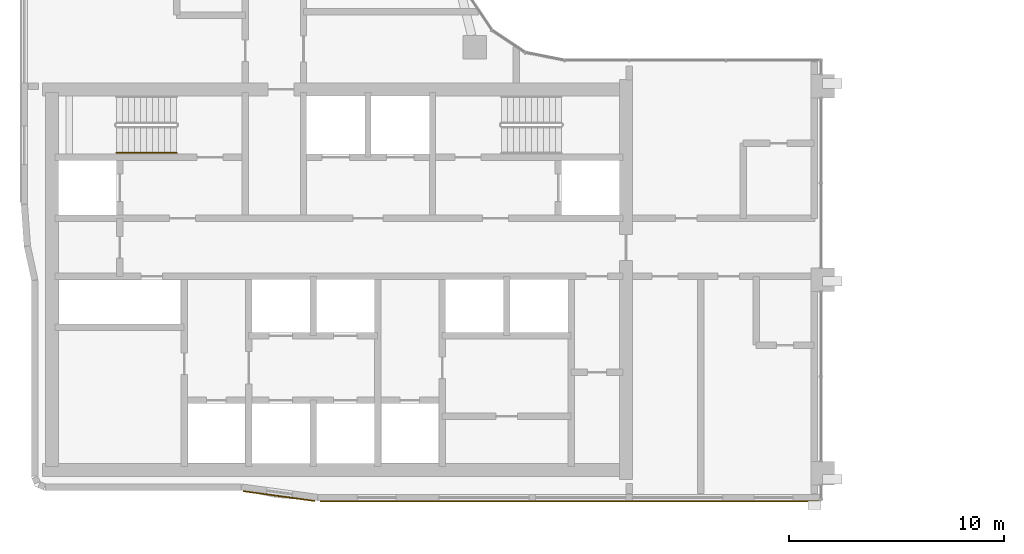
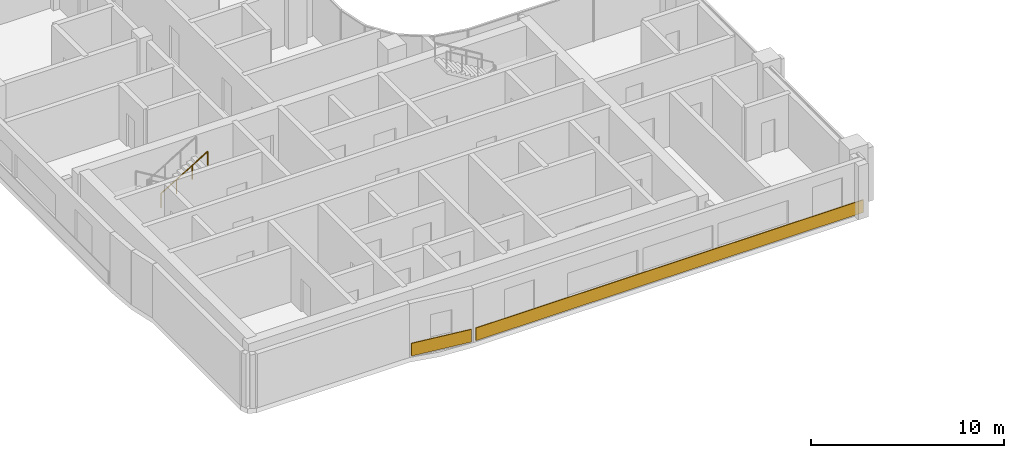
# One storey, part 17 of 23: 2 coverings, 1 railing.
"""IFC4 building model written with IfcOpenShell, lengths in metres."""

from ifc_helpers import new_model, si_unit, direction, frame, origin, origin_2d, place, context, subcontext, project, spatial, rectangle, circle, extrude, material, layer, layer_set, type_object, element, save


model = new_model("IFC4")

# Units and contexts
model_context = context("Model", 3, precision=1e-05, world=origin(), true_north=direction((0.0, 1.0)))
body_context = subcontext(model_context, "Body", "Model", "MODEL_VIEW")
ifc_project = project(units=[si_unit("LENGTHUNIT", "METRE"), si_unit("AREAUNIT", "SQUARE_METRE"), si_unit("VOLUMEUNIT", "CUBIC_METRE"), si_unit("PLANEANGLEUNIT", "RADIAN"), si_unit("MASSUNIT", "GRAM", prefix="KILO")], contexts=[model_context])

# Site, building, storey
site_placement = place(None, origin())
site = spatial("IfcSite", under=ifc_project, at=site_placement, CompositionType="ELEMENT")
building_placement = place(site_placement, origin())
building = spatial("IfcBuilding", under=site, at=building_placement, Name="Ogive Portal Towers", CompositionType="ELEMENT")
storey_placement = place(building_placement, frame((0.0, 0.0, 168.10009765625)))
storey = spatial("IfcBuildingStorey", under=building, at=storey_placement, Name="L41", CompositionType="ELEMENT", Elevation=168.10009765625)

# Railing
ifc_material_1 = material(Name="Stainless steel handrail", Category="steel")
railing_type = type_object("IfcRailingType", Name="INT-HANDRAIL", PredefinedType="HANDRAIL", material=ifc_material_1)
railing_placement = place(storey_placement, frame((34.64990234375, 36.39990234375, 2.01806640625)))
element("IfcRailing", 1, at=railing_placement, inside=storey, type_object=railing_type, Name="L41 ST-A1 stair handrail 2", PredefinedType="HANDRAIL", context=body_context, shape_type="SweptSolid", body=[
    extrude(circle(Radius=0.02392578125, at=origin_2d()), frame((0.0, 0.0, 0.8759765625), z_axis=(0.857242210791, 0.0, 0.514913383045), x_axis=(0.0, 1.0, 0.0)), (0.0, 0.0, 1.0), 3.266357421875),
    extrude(circle(Radius=0.02099609375, at=origin_2d()), origin(), (0.0, 0.0, 1.0), 0.851806640625),
    extrude(circle(Radius=0.02099609375, at=origin_2d()), frame((0.933349609375, 0.0, 0.560546875)), (0.0, 0.0, 1.0), 0.851806640625),
    extrude(circle(Radius=0.02099609375, at=origin_2d()), frame((1.86669921875, 0.0, 1.121337890625)), (0.0, 0.0, 1.0), 0.851806640625),
    extrude(circle(Radius=0.02099609375, at=origin_2d()), frame((2.800048828125, 0.0, 1.681884765625)), (0.0, 0.0, 1.0), 0.851806640625),
])

# Coverings
ifc_material_2 = material(Name="Limestone cladding on lightweight block wall", Category="masonry")
ifc_layer = layer(ifc_material_2, 0.050048828125)
ifc_layer_set = layer_set([ifc_layer], Name="SCREEN PERFORATED STONE")
covering_type = type_object("IfcCoveringType", Name="SCREEN PERFORATED STONE", PredefinedType="CLADDING", material=ifc_layer_set)
covering_1_placement = place(storey_placement, frame((42.21337890625, 20.43408203125, 0.10009765625), z_axis=(0.0, 0.0, 1.0), x_axis=(0.990777310626, -0.135500261066, 0.0)))
element("IfcCovering", 2, at=covering_1_placement, inside=storey, type_object=covering_type, Name="Tracery screen", PredefinedType="CLADDING", context=body_context, shape_type="SweptSolid", body=[
    extrude(rectangle(XDim=3.35888671875, YDim=0.050048828125, at=origin_2d()), origin(), (0.0, 0.0, 1.0), 0.800048828125),
])
covering_2_placement = place(storey_placement, frame((55.72021484375, 20.18994140625, 0.10009765625), z_axis=(0.0, 0.0, 1.0), x_axis=(1.0, 0.0, 0.0)))
element("IfcCovering", 3, at=covering_2_placement, inside=storey, type_object=covering_type, Name="Tracery screen", PredefinedType="CLADDING", context=body_context, shape_type="SweptSolid", body=[
    extrude(rectangle(XDim=23.199462890625, YDim=0.050048828125, at=origin_2d()), origin(), (0.0, 0.0, 1.0), 0.800048828125),
])

save(model, "model.ifc")
